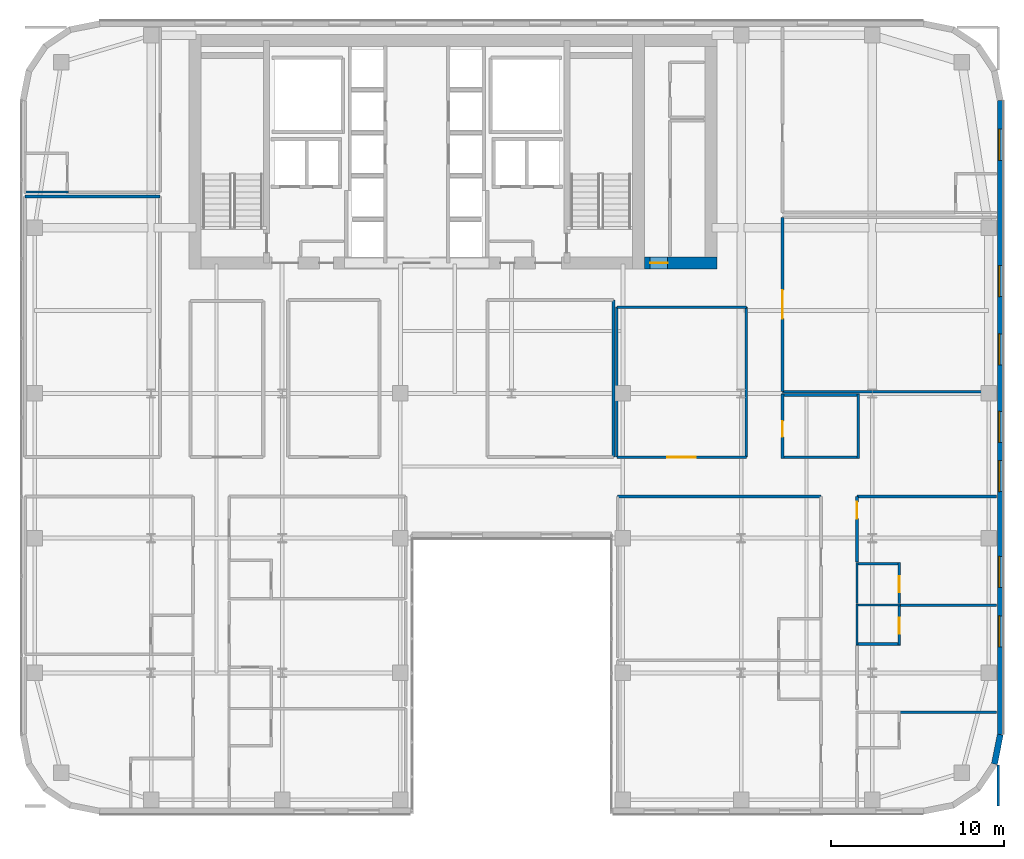
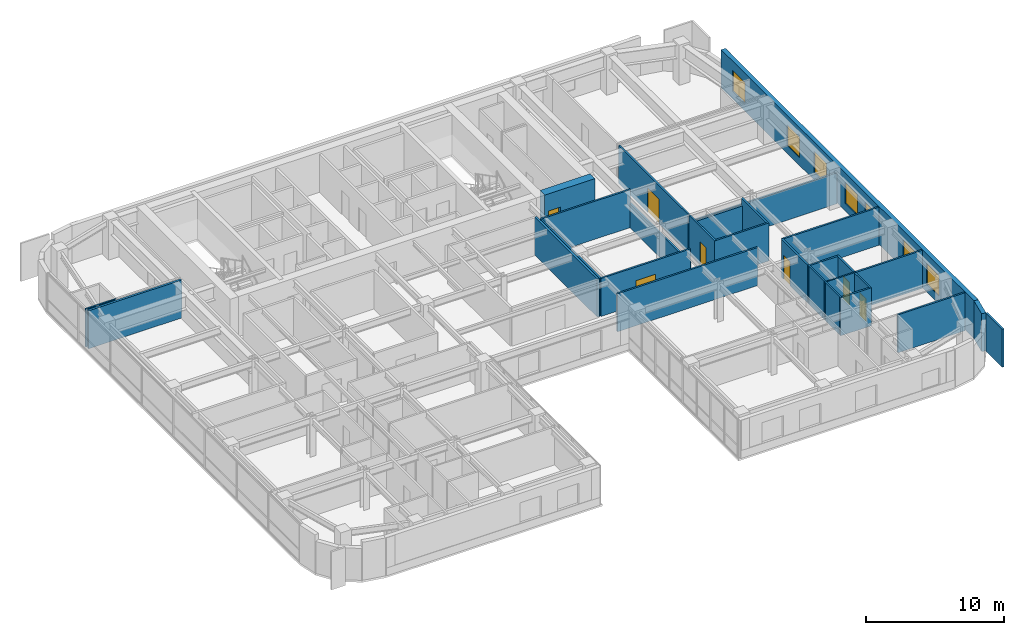
# One storey, part 29 of 37: 29 walls, 7 doors, 7 windows, 14 openings.
"""IFC4 building model written with IfcOpenShell, lengths in metres."""

from ifc_helpers import new_model, si_unit, direction, frame, frame_2d, origin, place, context, subcontext, project, spatial, rectangle, extrude, source, transform, mapped, material, layer, layer_set, type_object, type_shapes, element, fill, save


model = new_model("IFC4")

# Units and contexts
model_context = context("Model", 3, precision=1e-05, world=origin(), true_north=direction((0.0, 1.0)))
body_context = subcontext(model_context, "Body", "Model", "MODEL_VIEW")
ifc_project = project(units=[si_unit("LENGTHUNIT", "METRE"), si_unit("AREAUNIT", "SQUARE_METRE"), si_unit("VOLUMEUNIT", "CUBIC_METRE"), si_unit("PLANEANGLEUNIT", "RADIAN"), si_unit("MASSUNIT", "GRAM", prefix="KILO")], contexts=[model_context])

# Site, building, storey
site_placement = place(None, origin())
site = spatial("IfcSite", under=ifc_project, at=site_placement, CompositionType="ELEMENT")
building_placement = place(site_placement, origin())
building = spatial("IfcBuilding", under=site, at=building_placement, Name="Tolvann Quenvar Hotel", CompositionType="ELEMENT")
storey_placement = place(building_placement, frame((0.0, 0.0, 104.449951171875)))
storey = spatial("IfcBuildingStorey", under=building, at=storey_placement, Name="L26", CompositionType="ELEMENT", Elevation=104.449951171875)

# Wall, opening, door
ifc_material_1 = material(Name="Concrete S65 (65 MPa)", Category="concrete")
ifc_layer_1 = layer(ifc_material_1, 0.699951171875)
ifc_layer_set_1 = layer_set([ifc_layer_1], Name="Concrete S65 (65 MPa)")
wall_type_1 = type_object("IfcWallType", Name="WALL_CORE_700", PredefinedType="SHEAR", material=ifc_layer_set_1)
wall_1_placement = place(storey_placement, frame((36.199951171875, 31.949951171875, 0.0), z_axis=(0.0, 0.0, 1.0), x_axis=(1.0, 0.0, 0.0)))
wall_1 = element("IfcWall", 1, at=wall_1_placement, inside=storey, type_object=wall_type_1, Name="Core East Annex Shear Wall ANN-S (L26)", PredefinedType="SHEAR", context=body_context, shape_type="SweptSolid", body=[
    extrude(rectangle(XDim=4.199951171875, YDim=0.699951171875, at=frame_2d((2.10009765625, 0.0))), origin(), (0.0, 0.0, 1.0), 3.550048828125),
])
opening_1_placement = place(wall_1_placement, frame((1.340087890625, 0.0, 0.0), z_axis=(0.0, 0.0, 1.0), x_axis=(-1.0, 0.0, 0.0)))
opening_1 = element("IfcOpeningElement", 2, at=opening_1_placement, cuts=wall_1, Name="Opening HD-01", PredefinedType="OPENING", context=body_context, shape_type="SweptSolid", body=[
    extrude(rectangle(XDim=1.02001953125, YDim=2.030029296875, at=frame_2d((0.510009765625, 1.01513671875))), frame((0.0, 0.35986328125, 0.0), z_axis=(0.0, -1.0, 0.0), x_axis=(1.0, 0.0, 0.0)), (0.0, 0.0, 1.0), 0.719970703125),
])
ifc_material_2 = material(Name="Pressed galvanised steel fire-rated door set", Category="steel")
door_type_1 = type_object("IfcDoorType", Name="DOOR_BOH_1020", OperationType="NOTDEFINED", PredefinedType="DOOR", material=ifc_material_2)
shared_shape_1 = source(origin(), body_context, "Body", "SweptSolid", [
    extrude(rectangle(XDim=1.02001953125, YDim=2.030029296875, at=frame_2d((0.510009765625, 1.01513671875))), frame((0.0, 0.02490234375, 0.0), z_axis=(0.0, -1.0, 0.0), x_axis=(1.0, 0.0, 0.0)), (0.0, 0.0, 1.0), 0.050048828125),
])
type_shapes(door_type_1, [shared_shape_1])
door_1_placement = place(opening_1_placement, origin())
door_1 = element("IfcDoor", 3, at=door_1_placement, inside=storey, type_object=door_type_1, Name="Housekeeping Annex Fire Door (L26)", OperationType="SINGLE_SWING_LEFT", OverallHeight=2.030029296875, OverallWidth=1.02001953125, PredefinedType="DOOR", context=body_context, shape_type="MappedRepresentation", body=[
    mapped(shared_shape_1, transform((0.0, 0.0, 0.0), x_axis=(1.0, 0.0, 0.0), y_axis=(0.0, 1.0, 0.0), z_axis=(0.0, 0.0, 1.0), scale=1.0)),
])
fill(opening_1, door_1)

# Wall
ifc_material_3 = material(Name="Kiln-fired red and buff architectural clay brickwork and terracotta masonry", Category="masonry")
ifc_layer_2 = layer(ifc_material_3, 0.35009765625)
ifc_layer_set_2 = layer_set([ifc_layer_2], Name="Kiln-fired red and buff architectural clay brickwork and terracotta masonry")
wall_type_2 = type_object("IfcWallType", Name="WALL_EXT_BRICK_350", PredefinedType="SOLIDWALL", material=ifc_layer_set_2)
wall_2_placement = place(storey_placement, frame((56.485107421875, 2.907958984375, 0.0), z_axis=(0.0, 0.0, 1.0), x_axis=(0.195011420161, 0.980800971659, 0.0)))
element("IfcWall", 4, at=wall_2_placement, inside=storey, type_object=wall_type_2, Name="Exterior Chicago Brick Wall L26-E12", PredefinedType="SOLIDWALL", context=body_context, shape_type="SweptSolid", body=[
    extrude(rectangle(XDim=1.74267578125, YDim=0.35009765625, at=frame_2d((0.871337890625, 0.0))), origin(), (0.0, 0.0, 1.0), 3.3701171875),
])

# Wall, openings, windows
wall_3_placement = place(storey_placement, frame((56.824951171875, 4.6171875, 0.0), z_axis=(0.0, 0.0, 1.0), x_axis=(0.0, 1.0, 0.0)))
wall_3 = element("IfcWall", 5, at=wall_3_placement, inside=storey, type_object=wall_type_2, Name="Exterior Chicago Brick Wall L26-E13", PredefinedType="SOLIDWALL", context=body_context, shape_type="SweptSolid", body=[
    extrude(rectangle(XDim=36.765625, YDim=0.35009765625, at=frame_2d((18.3828125, 0.0))), origin(), (0.0, 0.0, 1.0), 3.3701171875),
])
opening_2_placement = place(wall_3_placement, frame((5.077880859375, 0.0, 0.679931640625)))
opening_2 = element("IfcOpeningElement", 6, at=opening_2_placement, cuts=wall_3, Name="Opening W-03", PredefinedType="OPENING", context=body_context, shape_type="SweptSolid", body=[
    extrude(rectangle(XDim=1.800048828125, YDim=1.85009765625, at=frame_2d((0.89990234375, 0.925048828125))), frame((0.0, 0.18505859375, 0.0), z_axis=(0.0, -1.0, 0.0), x_axis=(1.0, 0.0, 0.0)), (0.0, 0.0, 1.0), 0.3701171875),
])
opening_3_placement = place(wall_3_placement, frame((8.529052734375, 0.0, 0.679931640625)))
opening_3 = element("IfcOpeningElement", 7, at=opening_3_placement, cuts=wall_3, Name="Opening W-03", PredefinedType="OPENING", context=body_context, shape_type="SweptSolid", body=[
    extrude(rectangle(XDim=1.800048828125, YDim=1.85009765625, at=frame_2d((0.89990234375, 0.925048828125))), frame((0.0, 0.18505859375, 0.0), z_axis=(0.0, -1.0, 0.0), x_axis=(1.0, 0.0, 0.0)), (0.0, 0.0, 1.0), 0.3701171875),
])
opening_4_placement = place(wall_3_placement, frame((14.0810546875, 0.0, 0.679931640625)))
opening_4 = element("IfcOpeningElement", 8, at=opening_4_placement, cuts=wall_3, Name="Opening W-03", PredefinedType="OPENING", context=body_context, shape_type="SweptSolid", body=[
    extrude(rectangle(XDim=1.800048828125, YDim=1.85009765625, at=frame_2d((0.89990234375, 0.925048828125))), frame((0.0, 0.18505859375, 0.0), z_axis=(0.0, -1.0, 0.0), x_axis=(1.0, 0.0, 0.0)), (0.0, 0.0, 1.0), 0.3701171875),
])
opening_5_placement = place(wall_3_placement, frame((16.93310546875, 0.0, 0.679931640625)))
opening_5 = element("IfcOpeningElement", 9, at=opening_5_placement, cuts=wall_3, Name="Opening W-03", PredefinedType="OPENING", context=body_context, shape_type="SweptSolid", body=[
    extrude(rectangle(XDim=1.800048828125, YDim=1.85009765625, at=frame_2d((0.89990234375, 0.925048828125))), frame((0.0, 0.18505859375, 0.0), z_axis=(0.0, -1.0, 0.0), x_axis=(1.0, 0.0, 0.0)), (0.0, 0.0, 1.0), 0.3701171875),
])
opening_6_placement = place(wall_3_placement, frame((21.43505859375, 0.0, 0.679931640625)))
opening_6 = element("IfcOpeningElement", 10, at=opening_6_placement, cuts=wall_3, Name="Opening W-03", PredefinedType="OPENING", context=body_context, shape_type="SweptSolid", body=[
    extrude(rectangle(XDim=1.800048828125, YDim=1.85009765625, at=frame_2d((0.89990234375, 0.925048828125))), frame((0.0, 0.18505859375, 0.0), z_axis=(0.0, -1.0, 0.0), x_axis=(1.0, 0.0, 0.0)), (0.0, 0.0, 1.0), 0.3701171875),
])
opening_7_placement = place(wall_3_placement, frame((25.385986328125, 0.0, 0.679931640625)))
opening_7 = element("IfcOpeningElement", 11, at=opening_7_placement, cuts=wall_3, Name="Opening W-03", PredefinedType="OPENING", context=body_context, shape_type="SweptSolid", body=[
    extrude(rectangle(XDim=1.800048828125, YDim=1.85009765625, at=frame_2d((0.89990234375, 0.925048828125))), frame((0.0, 0.18505859375, 0.0), z_axis=(0.0, -1.0, 0.0), x_axis=(1.0, 0.0, 0.0)), (0.0, 0.0, 1.0), 0.3701171875),
])
opening_8_placement = place(wall_3_placement, frame((33.2900390625, 0.0, 0.679931640625)))
opening_8 = element("IfcOpeningElement", 12, at=opening_8_placement, cuts=wall_3, Name="Opening W-03", PredefinedType="OPENING", context=body_context, shape_type="SweptSolid", body=[
    extrude(rectangle(XDim=1.800048828125, YDim=1.85009765625, at=frame_2d((0.89990234375, 0.925048828125))), frame((0.0, 0.18505859375, 0.0), z_axis=(0.0, -1.0, 0.0), x_axis=(1.0, 0.0, 0.0)), (0.0, 0.0, 1.0), 0.3701171875),
])
ifc_material_4 = material(Name="Thermally broken bronze-anodised aluminium frame with double low-E glazing", Category="aluminium")
window_type = type_object("IfcWindowType", Name="WIN_CHI_1800x2050", PartitioningType="TRIPLE_PANEL_HORIZONTAL", PredefinedType="WINDOW", material=ifc_material_4)
shared_shape_2 = source(origin(), body_context, "Body", "SweptSolid", [
    extrude(rectangle(XDim=1.800048828125, YDim=1.85009765625, at=frame_2d((0.89990234375, 0.925048828125))), frame((0.0, 0.090087890625, 0.0), z_axis=(0.0, -1.0, 0.0), x_axis=(1.0, 0.0, 0.0)), (0.0, 0.0, 1.0), 0.06005859375),
])
type_shapes(window_type, [shared_shape_2])
window_1_placement = place(opening_2_placement, origin())
window_1 = element("IfcWindow", 13, at=window_1_placement, inside=storey, type_object=window_type, Name="Chicago Window W-03 (EW-L26-E13-W01)", OverallHeight=1.85009765625, OverallWidth=1.800048828125, PartitioningType="TRIPLE_PANEL_HORIZONTAL", PredefinedType="WINDOW", context=body_context, shape_type="MappedRepresentation", body=[
    mapped(shared_shape_2, transform((0.0, 0.0, 0.0), x_axis=(1.0, 0.0, 0.0), y_axis=(0.0, 1.0, 0.0), z_axis=(0.0, 0.0, 1.0), scale=1.0)),
])
fill(opening_2, window_1)
window_2_placement = place(opening_3_placement, origin())
window_2 = element("IfcWindow", 14, at=window_2_placement, inside=storey, type_object=window_type, Name="Chicago Window W-03 (EW-L26-E13-W02)", OverallHeight=1.85009765625, OverallWidth=1.800048828125, PartitioningType="TRIPLE_PANEL_HORIZONTAL", PredefinedType="WINDOW", context=body_context, shape_type="MappedRepresentation", body=[
    mapped(shared_shape_2, transform((0.0, 0.0, 0.0), x_axis=(1.0, 0.0, 0.0), y_axis=(0.0, 1.0, 0.0), z_axis=(0.0, 0.0, 1.0), scale=1.0)),
])
fill(opening_3, window_2)
window_3_placement = place(opening_4_placement, origin())
window_3 = element("IfcWindow", 15, at=window_3_placement, inside=storey, type_object=window_type, Name="Chicago Window W-03 (EW-L26-E13-W03)", OverallHeight=1.85009765625, OverallWidth=1.800048828125, PartitioningType="TRIPLE_PANEL_HORIZONTAL", PredefinedType="WINDOW", context=body_context, shape_type="MappedRepresentation", body=[
    mapped(shared_shape_2, transform((0.0, 0.0, 0.0), x_axis=(1.0, 0.0, 0.0), y_axis=(0.0, 1.0, 0.0), z_axis=(0.0, 0.0, 1.0), scale=1.0)),
])
fill(opening_4, window_3)
window_4_placement = place(opening_5_placement, origin())
window_4 = element("IfcWindow", 16, at=window_4_placement, inside=storey, type_object=window_type, Name="Chicago Window W-03 (EW-L26-E13-W04)", OverallHeight=1.85009765625, OverallWidth=1.800048828125, PartitioningType="TRIPLE_PANEL_HORIZONTAL", PredefinedType="WINDOW", context=body_context, shape_type="MappedRepresentation", body=[
    mapped(shared_shape_2, transform((0.0, 0.0, 0.0), x_axis=(1.0, 0.0, 0.0), y_axis=(0.0, 1.0, 0.0), z_axis=(0.0, 0.0, 1.0), scale=1.0)),
])
fill(opening_5, window_4)
window_5_placement = place(opening_6_placement, origin())
window_5 = element("IfcWindow", 17, at=window_5_placement, inside=storey, type_object=window_type, Name="Chicago Window W-03 (EW-L26-E13-W05)", OverallHeight=1.85009765625, OverallWidth=1.800048828125, PartitioningType="TRIPLE_PANEL_HORIZONTAL", PredefinedType="WINDOW", context=body_context, shape_type="MappedRepresentation", body=[
    mapped(shared_shape_2, transform((0.0, 0.0, 0.0), x_axis=(1.0, 0.0, 0.0), y_axis=(0.0, 1.0, 0.0), z_axis=(0.0, 0.0, 1.0), scale=1.0)),
])
fill(opening_6, window_5)
window_6_placement = place(opening_7_placement, origin())
window_6 = element("IfcWindow", 18, at=window_6_placement, inside=storey, type_object=window_type, Name="Chicago Window W-03 (EW-L26-E13-W06)", OverallHeight=1.85009765625, OverallWidth=1.800048828125, PartitioningType="TRIPLE_PANEL_HORIZONTAL", PredefinedType="WINDOW", context=body_context, shape_type="MappedRepresentation", body=[
    mapped(shared_shape_2, transform((0.0, 0.0, 0.0), x_axis=(1.0, 0.0, 0.0), y_axis=(0.0, 1.0, 0.0), z_axis=(0.0, 0.0, 1.0), scale=1.0)),
])
fill(opening_7, window_6)
window_7_placement = place(opening_8_placement, origin())
window_7 = element("IfcWindow", 19, at=window_7_placement, inside=storey, type_object=window_type, Name="Chicago Window W-03 (EW-L26-E13-W07)", OverallHeight=1.85009765625, OverallWidth=1.800048828125, PartitioningType="TRIPLE_PANEL_HORIZONTAL", PredefinedType="WINDOW", context=body_context, shape_type="MappedRepresentation", body=[
    mapped(shared_shape_2, transform((0.0, 0.0, 0.0), x_axis=(1.0, 0.0, 0.0), y_axis=(0.0, 1.0, 0.0), z_axis=(0.0, 0.0, 1.0), scale=1.0)),
])
fill(opening_8, window_7)

# Walls
ifc_material_5 = material(Name="Acoustic twin-stud fire-rated gypsum plasterboard partition")
ifc_layer_3 = layer(ifc_material_5, 0.179931640625)
ifc_layer_set_3 = layer_set([ifc_layer_3], Name="Acoustic twin-stud fire-rated gypsum plasterboard partition")
wall_type_3 = type_object("IfcWallType", Name="WALL_PART_ACOUSTIC_180", PredefinedType="PARTITIONING", material=ifc_layer_set_3)
wall_4_placement = place(storey_placement, frame((0.300048828125, 35.800048828125, 0.0), z_axis=(0.0, 0.0, 1.0), x_axis=(1.0, 0.0, 0.0)))
element("IfcWall", 20, at=wall_4_placement, inside=storey, type_object=wall_type_3, Name="Interior Partition PT-SPC-L26-SAL-N", PredefinedType="PARTITIONING", context=body_context, shape_type="SweptSolid", body=[
    extrude(rectangle(XDim=7.820068359375, YDim=0.179931640625, at=frame_2d((3.91015625, 0.0))), origin(), (0.0, 0.0, 1.0), 3.3701171875),
])
wall_5_placement = place(storey_placement, frame((34.39990234375, 20.699951171875, 0.0), z_axis=(0.0, 0.0, 1.0), x_axis=(0.0, 1.0, 0.0)))
element("IfcWall", 21, at=wall_5_placement, inside=storey, type_object=wall_type_3, Name="Interior Partition PT-SPC-L26-MSP-C-E", PredefinedType="PARTITIONING", context=body_context, shape_type="SweptSolid", body=[
    extrude(rectangle(XDim=9.10009765625, YDim=0.179931640625, at=frame_2d((4.550048828125, 0.0))), origin(), (0.0, 0.0, 1.0), 3.3701171875),
])
ifc_material_6 = material(Name="Moisture-resistant acoustic plumbing wall assembly")
ifc_layer_4 = layer(ifc_material_6, 0.1201171875)
ifc_layer_set_4 = layer_set([ifc_layer_4], Name="Moisture-resistant acoustic plumbing wall assembly")
wall_type_4 = type_object("IfcWallType", Name="WALL_PART_BATH_120", PredefinedType="PLUMBINGWALL", material=ifc_layer_set_4)
wall_6_placement = place(storey_placement, frame((48.449951171875, 12.1201171875, 0.0), z_axis=(0.0, 0.0, 1.0), x_axis=(1.0, 0.0, 0.0)))
element("IfcWall", 22, at=wall_6_placement, inside=storey, type_object=wall_type_4, Name="Non-Rated Plumbing Partition PT-SPC-L26-ENS-EO02-N", PredefinedType="PLUMBINGWALL", context=body_context, shape_type="SweptSolid", body=[
    extrude(rectangle(XDim=2.590087890625, YDim=0.1201171875, at=frame_2d((1.294921875, 0.0))), origin(), (0.0, 0.0, 1.0), 3.3701171875),
])
wall_7_placement = place(storey_placement, frame((48.52001953125, 9.800048828125, 0.0), z_axis=(0.0, 0.0, 1.0), x_axis=(0.0, 1.0, 0.0)))
element("IfcWall", 23, at=wall_7_placement, inside=storey, type_object=wall_type_4, Name="Non-Rated Plumbing Partition PT-SPC-L26-ENS-EO02-W", PredefinedType="PLUMBINGWALL", context=body_context, shape_type="SweptSolid", body=[
    extrude(rectangle(XDim=2.389892578125, YDim=0.1201171875, at=frame_2d((1.19482421875, 0.0))), origin(), (0.0, 0.0, 1.0), 3.3701171875),
])
wall_8_placement = place(storey_placement, frame((48.52001953125, 12.2099609375, 0.0), z_axis=(0.0, 0.0, 1.0), x_axis=(0.0, 1.0, 0.0)))
element("IfcWall", 24, at=wall_8_placement, inside=storey, type_object=wall_type_4, Name="Non-Rated Plumbing Partition PT-SPC-L26-ENS-EO03-W", PredefinedType="PLUMBINGWALL", context=body_context, shape_type="SweptSolid", body=[
    extrude(rectangle(XDim=2.39013671875, YDim=0.1201171875, at=frame_2d((1.195068359375, 0.0))), origin(), (0.0, 0.0, 1.0), 3.3701171875),
])
wall_9_placement = place(storey_placement, frame((0.22998046875, 36.06005859375, 0.0), z_axis=(0.0, 0.0, 1.0), x_axis=(1.0, 0.0, 0.0)))
element("IfcWall", 25, at=wall_9_placement, inside=storey, type_object=wall_type_4, Name="Non-Rated Plumbing Partition PT-SPC-L26-ENS-NW01-S", PredefinedType="PLUMBINGWALL", context=body_context, shape_type="SweptSolid", body=[
    extrude(rectangle(XDim=2.590087890625, YDim=0.1201171875, at=frame_2d((1.294921875, 0.0))), origin(), (0.0, 0.0, 1.0), 3.3701171875),
])

# Wall, opening, door
ifc_layer_5 = layer(ifc_material_5, 0.14990234375)
ifc_layer_set_5 = layer_set([ifc_layer_5], Name="Acoustic twin-stud fire-rated gypsum plasterboard partition")
wall_type_5 = type_object("IfcWallType", Name="WALL_PART_SUITE_150", PredefinedType="PARTITIONING", material=ifc_layer_set_5)
wall_10_placement = place(storey_placement, frame((50.969970703125, 9.800048828125, 0.0), z_axis=(0.0, 0.0, 1.0), x_axis=(0.0, 1.0, 0.0)))
wall_10 = element("IfcWall", 26, at=wall_10_placement, inside=storey, type_object=wall_type_5, Name="Interior Partition PT-SPC-L26-ENS-EO02-ENT", PredefinedType="PARTITIONING", context=body_context, shape_type="SweptSolid", body=[
    extrude(rectangle(XDim=2.389892578125, YDim=0.14990234375, at=frame_2d((1.19482421875, 0.0))), origin(), (0.0, 0.0, 1.0), 3.3701171875),
])
opening_9_placement = place(wall_10_placement, frame((0.6650390625, 0.0, 0.0)))
opening_9 = element("IfcOpeningElement", 27, at=opening_9_placement, cuts=wall_10, Name="Opening WD-01", PredefinedType="OPENING", context=body_context, shape_type="SweptSolid", body=[
    extrude(rectangle(XDim=0.919921875, YDim=2.010009765625, at=frame_2d((0.4599609375, 1.0048828125))), frame((0.0, 0.0849609375, 0.0), z_axis=(0.0, -1.0, 0.0), x_axis=(1.0, 0.0, 0.0)), (0.0, 0.0, 1.0), 0.169921875),
])
ifc_material_7 = material(Name="Solid-core American oak acoustic fire door leaf in steel frame", Category="steel")
door_type_2 = type_object("IfcDoorType", Name="DOOR_WC_920", OperationType="NOTDEFINED", PredefinedType="DOOR", material=ifc_material_7)
shared_shape_3 = source(origin(), body_context, "Body", "SweptSolid", [
    extrude(rectangle(XDim=0.919921875, YDim=2.010009765625, at=frame_2d((0.4599609375, 1.0048828125))), frame((0.0, 0.02490234375, 0.0), z_axis=(0.0, -1.0, 0.0), x_axis=(1.0, 0.0, 0.0)), (0.0, 0.0, 1.0), 0.050048828125),
])
type_shapes(door_type_2, [shared_shape_3])
door_2_placement = place(opening_9_placement, origin())
door_2 = element("IfcDoor", 28, at=door_2_placement, inside=storey, type_object=door_type_2, Name="Interior Door DOOR-SPC-L26-ENS-EO02", OperationType="SINGLE_SWING_LEFT", OverallHeight=2.010009765625, OverallWidth=0.919921875, PredefinedType="DOOR", context=body_context, shape_type="MappedRepresentation", body=[
    mapped(shared_shape_3, transform((0.0, 0.0, 0.0), x_axis=(1.0, 0.0, 0.0), y_axis=(0.0, 1.0, 0.0), z_axis=(0.0, 0.0, 1.0), scale=1.0)),
])
fill(opening_9, door_2)

# Wall
wall_11_placement = place(storey_placement, frame((48.449951171875, 9.8701171875, 0.0), z_axis=(0.0, 0.0, 1.0), x_axis=(1.0, 0.0, 0.0)))
element("IfcWall", 29, at=wall_11_placement, inside=storey, type_object=wall_type_5, Name="Interior Partition PT-SPC-L26-ENS-EO02-S", PredefinedType="PARTITIONING", context=body_context, shape_type="SweptSolid", body=[
    extrude(rectangle(XDim=2.590087890625, YDim=0.14990234375, at=frame_2d((1.294921875, 0.0))), origin(), (0.0, 0.0, 1.0), 3.3701171875),
])

# Wall, opening, door
wall_12_placement = place(storey_placement, frame((50.969970703125, 12.2099609375, 0.0), z_axis=(0.0, 0.0, 1.0), x_axis=(0.0, 1.0, 0.0)))
wall_12 = element("IfcWall", 30, at=wall_12_placement, inside=storey, type_object=wall_type_5, Name="Interior Partition PT-SPC-L26-ENS-EO03-ENT", PredefinedType="PARTITIONING", context=body_context, shape_type="SweptSolid", body=[
    extrude(rectangle(XDim=2.39013671875, YDim=0.14990234375, at=frame_2d((1.195068359375, 0.0))), origin(), (0.0, 0.0, 1.0), 3.3701171875),
])
opening_10_placement = place(wall_12_placement, frame((0.6650390625, 0.0, 0.0)))
opening_10 = element("IfcOpeningElement", 31, at=opening_10_placement, cuts=wall_12, Name="Opening WD-01", PredefinedType="OPENING", context=body_context, shape_type="SweptSolid", body=[
    extrude(rectangle(XDim=0.919921875, YDim=2.010009765625, at=frame_2d((0.4599609375, 1.0048828125))), frame((0.0, 0.0849609375, 0.0), z_axis=(0.0, -1.0, 0.0), x_axis=(1.0, 0.0, 0.0)), (0.0, 0.0, 1.0), 0.169921875),
])
door_3_placement = place(opening_10_placement, origin())
door_3 = element("IfcDoor", 32, at=door_3_placement, inside=storey, type_object=door_type_2, Name="Interior Door DOOR-SPC-L26-ENS-EO03", OperationType="SINGLE_SWING_RIGHT", OverallHeight=2.010009765625, OverallWidth=0.919921875, PredefinedType="DOOR", context=body_context, shape_type="MappedRepresentation", body=[
    mapped(shared_shape_3, transform((0.0, 0.0, 0.0), x_axis=(1.0, 0.0, 0.0), y_axis=(0.0, 1.0, 0.0), z_axis=(0.0, 0.0, 1.0), scale=1.0)),
])
fill(opening_10, door_3)

# Walls
wall_13_placement = place(storey_placement, frame((48.449951171875, 14.530029296875, 0.0), z_axis=(0.0, 0.0, 1.0), x_axis=(1.0, 0.0, 0.0)))
element("IfcWall", 33, at=wall_13_placement, inside=storey, type_object=wall_type_5, Name="Interior Partition PT-SPC-L26-ENS-EO03-N", PredefinedType="PARTITIONING", context=body_context, shape_type="SweptSolid", body=[
    extrude(rectangle(XDim=2.590087890625, YDim=0.14990234375, at=frame_2d((1.294921875, 0.0))), origin(), (0.0, 0.0, 1.0), 3.3701171875),
])
wall_14_placement = place(storey_placement, frame((34.64990234375, 18.419921875, 0.0), z_axis=(0.0, 0.0, 1.0), x_axis=(1.0, 0.0, 0.0)))
element("IfcWall", 34, at=wall_14_placement, inside=storey, type_object=wall_type_5, Name="Interior Partition PT-SPC-L26-RM-EI02-E5", PredefinedType="PARTITIONING", context=body_context, shape_type="SweptSolid", body=[
    extrude(rectangle(XDim=11.780029296875, YDim=0.14990234375, at=frame_2d((5.89013671875, 0.0))), origin(), (0.0, 0.0, 1.0), 3.3701171875),
])
wall_15_placement = place(storey_placement, frame((56.699951171875, 0.47998046875, 0.0), z_axis=(0.0, 0.0, 1.0), x_axis=(0.0, 1.0, 0.0)))
element("IfcWall", 35, at=wall_15_placement, inside=storey, type_object=wall_type_5, Name="Interior Partition PT-SPC-L26-RM-EO01-E2", PredefinedType="PARTITIONING", context=body_context, shape_type="SweptSolid", body=[
    extrude(rectangle(XDim=2.385009765625, YDim=0.14990234375, at=frame_2d((1.1923828125, 0.0))), origin(), (0.0, 0.0, 1.0), 3.3701171875),
])
for number, where, z_axis, x_axis, name in (
    (36, (50.989990234375, 5.919921875, 0.0), (0.0, 0.0, 1.0), (1.0, 0.0, 0.0), "Interior Partition PT-SPC-L26-RM-EO01-E3"),
    (37, (50.989990234375, 12.1201171875, 0.0), (0.0, 0.0, 1.0), (1.0, 0.0, 0.0), "Interior Partition PT-SPC-L26-RM-EO02-E3"),
):
    element("IfcWall", number, at=place(storey_placement, frame(where, z_axis=z_axis, x_axis=x_axis)), inside=storey, type_object=wall_type_5, Name=name, PredefinedType="PARTITIONING", context=body_context, shape_type="SweptSolid", body=[
        extrude(rectangle(XDim=5.60498046875, YDim=0.14990234375, at=frame_2d((2.802490234375, 0.0))), origin(), (0.0, 0.0, 1.0), 3.3701171875),
    ])

# Wall, opening, door
wall_16_placement = place(storey_placement, frame((48.52001953125, 14.610107421875, 0.0), z_axis=(0.0, 0.0, 1.0), x_axis=(0.0, 1.0, 0.0)))
wall_16 = element("IfcWall", 38, at=wall_16_placement, inside=storey, type_object=wall_type_5, Name="Interior Partition PT-SPC-L26-RM-EO03-ENT", PredefinedType="PARTITIONING", context=body_context, shape_type="SweptSolid", body=[
    extrude(rectangle(XDim=3.809814453125, YDim=0.14990234375, at=frame_2d((1.90478515625, 0.0))), origin(), (0.0, 0.0, 1.0), 3.3701171875),
])
opening_11_placement = place(wall_16_placement, frame((2.52001953125, 0.0, 0.0)))
opening_11 = element("IfcOpeningElement", 39, at=opening_11_placement, cuts=wall_16, Name="Opening SD-01", PredefinedType="OPENING", context=body_context, shape_type="SweptSolid", body=[
    extrude(rectangle(XDim=0.97998046875, YDim=2.1201171875, at=frame_2d((0.489990234375, 1.06005859375))), frame((0.0, 0.0849609375, 0.0), z_axis=(0.0, -1.0, 0.0), x_axis=(1.0, 0.0, 0.0)), (0.0, 0.0, 1.0), 0.169921875),
])
door_type_3 = type_object("IfcDoorType", Name="DOOR_SUITE_980", OperationType="NOTDEFINED", PredefinedType="DOOR", material=ifc_material_7)
shared_shape_4 = source(origin(), body_context, "Body", "SweptSolid", [
    extrude(rectangle(XDim=0.97998046875, YDim=2.1201171875, at=frame_2d((0.489990234375, 1.06005859375))), frame((0.0, 0.02490234375, 0.0), z_axis=(0.0, -1.0, 0.0), x_axis=(1.0, 0.0, 0.0)), (0.0, 0.0, 1.0), 0.050048828125),
])
type_shapes(door_type_3, [shared_shape_4])
door_4_placement = place(opening_11_placement, origin())
door_4 = element("IfcDoor", 40, at=door_4_placement, inside=storey, type_object=door_type_3, Name="Interior Door DOOR-SPC-L26-RM-EO03", OperationType="SINGLE_SWING_RIGHT", OverallHeight=2.1201171875, OverallWidth=0.97998046875, PredefinedType="DOOR", context=body_context, shape_type="MappedRepresentation", body=[
    mapped(shared_shape_4, transform((0.0, 0.0, 0.0), x_axis=(1.0, 0.0, 0.0), y_axis=(0.0, 1.0, 0.0), z_axis=(0.0, 0.0, 1.0), scale=1.0)),
])
fill(opening_11, door_4)

# Wall
wall_17_placement = place(storey_placement, frame((48.52001953125, 18.419921875, 0.0), z_axis=(0.0, 0.0, 1.0), x_axis=(1.0, 0.0, 0.0)))
element("IfcWall", 41, at=wall_17_placement, inside=storey, type_object=wall_type_5, Name="Interior Partition PT-SPC-L26-RM-EO03-E5", PredefinedType="PARTITIONING", context=body_context, shape_type="SweptSolid", body=[
    extrude(rectangle(XDim=8.074951171875, YDim=0.14990234375, at=frame_2d((4.03759765625, 0.0))), origin(), (0.0, 0.0, 1.0), 3.3701171875),
])

# Wall, opening, door
wall_18_placement = place(storey_placement, frame((44.199951171875, 20.6298828125, 0.0), z_axis=(0.0, 0.0, 1.0), x_axis=(0.0, 1.0, 0.0)))
wall_18 = element("IfcWall", 42, at=wall_18_placement, inside=storey, type_object=wall_type_5, Name="Interior Partition PT-SPC-L26-WCA-ENT", PredefinedType="PARTITIONING", context=body_context, shape_type="SweptSolid", body=[
    extrude(rectangle(XDim=3.740234375, YDim=0.14990234375, at=frame_2d((1.8701171875, 0.0))), origin(), (0.0, 0.0, 1.0), 3.3701171875),
])
opening_12_placement = place(wall_18_placement, frame((1.239990234375, 0.0, 0.0)))
opening_12 = element("IfcOpeningElement", 43, at=opening_12_placement, cuts=wall_18, Name="Opening WD-01", PredefinedType="OPENING", context=body_context, shape_type="SweptSolid", body=[
    extrude(rectangle(XDim=0.919921875, YDim=2.010009765625, at=frame_2d((0.4599609375, 1.0048828125))), frame((0.0, 0.0849609375, 0.0), z_axis=(0.0, -1.0, 0.0), x_axis=(1.0, 0.0, 0.0)), (0.0, 0.0, 1.0), 0.169921875),
])
door_5_placement = place(opening_12_placement, origin())
door_5 = element("IfcDoor", 44, at=door_5_placement, inside=storey, type_object=door_type_2, Name="Interior Door DOOR-SPC-L26-WCA", OperationType="SINGLE_SWING_RIGHT", OverallHeight=2.010009765625, OverallWidth=0.919921875, PredefinedType="DOOR", context=body_context, shape_type="MappedRepresentation", body=[
    mapped(shared_shape_3, transform((0.0, 0.0, 0.0), x_axis=(1.0, 0.0, 0.0), y_axis=(0.0, 1.0, 0.0), z_axis=(0.0, 0.0, 1.0), scale=1.0)),
])
fill(opening_12, door_5)

# Walls
wall_19_placement = place(storey_placement, frame((44.1298828125, 20.699951171875, 0.0), z_axis=(0.0, 0.0, 1.0), x_axis=(1.0, 0.0, 0.0)))
element("IfcWall", 45, at=wall_19_placement, inside=storey, type_object=wall_type_5, Name="Interior Partition PT-SPC-L26-WCA-S", PredefinedType="PARTITIONING", context=body_context, shape_type="SweptSolid", body=[
    extrude(rectangle(XDim=4.5400390625, YDim=0.14990234375, at=frame_2d((2.27001953125, 0.0))), origin(), (0.0, 0.0, 1.0), 3.3701171875),
])
wall_20_placement = place(storey_placement, frame((44.1298828125, 24.300048828125, 0.0), z_axis=(0.0, 0.0, 1.0), x_axis=(1.0, 0.0, 0.0)))
element("IfcWall", 46, at=wall_20_placement, inside=storey, type_object=wall_type_5, Name="Interior Partition PT-SPC-L26-WCA-N", PredefinedType="PARTITIONING", context=body_context, shape_type="SweptSolid", body=[
    extrude(rectangle(XDim=4.5400390625, YDim=0.14990234375, at=frame_2d((2.27001953125, 0.0))), origin(), (0.0, 0.0, 1.0), 2.748046875),
])
wall_21_placement = place(storey_placement, frame((48.60009765625, 20.6298828125, 0.0), z_axis=(0.0, 0.0, 1.0), x_axis=(0.0, 1.0, 0.0)))
element("IfcWall", 47, at=wall_21_placement, inside=storey, type_object=wall_type_5, Name="Interior Partition PT-SPC-L26-WCA-E", PredefinedType="PARTITIONING", context=body_context, shape_type="SweptSolid", body=[
    extrude(rectangle(XDim=3.740234375, YDim=0.14990234375, at=frame_2d((1.8701171875, 0.0))), origin(), (0.0, 0.0, 1.0), 3.3701171875),
])
wall_22_placement = place(storey_placement, frame((44.199951171875, 24.5, 0.0), z_axis=(0.0, 0.0, 1.0), x_axis=(1.0, 0.0, 0.0)))
element("IfcWall", 48, at=wall_22_placement, inside=storey, type_object=wall_type_5, Name="Interior Partition PT-SPC-L26-SPA-S", PredefinedType="PARTITIONING", context=body_context, shape_type="SweptSolid", body=[
    extrude(rectangle(XDim=12.39501953125, YDim=0.14990234375, at=frame_2d((6.197509765625, 0.0))), origin(), (0.0, 0.0, 1.0), 2.748046875),
])

# Wall, opening, door
wall_23_placement = place(storey_placement, frame((44.199951171875, 24.5, 0.0), z_axis=(0.0, 0.0, 1.0), x_axis=(0.0, 1.0, 0.0)))
wall_23 = element("IfcWall", 49, at=wall_23_placement, inside=storey, type_object=wall_type_5, Name="Interior Partition PT-SPC-L26-SPA-W", PredefinedType="PARTITIONING", context=body_context, shape_type="SweptSolid", body=[
    extrude(rectangle(XDim=10.10009765625, YDim=0.14990234375, at=frame_2d((5.050048828125, 0.0))), origin(), (0.0, 0.0, 1.0), 3.3701171875),
])
opening_13_placement = place(wall_23_placement, frame((4.22509765625, 0.0, 0.0)))
opening_13 = element("IfcOpeningElement", 50, at=opening_13_placement, cuts=wall_23, Name="Opening AD-01", PredefinedType="OPENING", context=body_context, shape_type="SweptSolid", body=[
    extrude(rectangle(XDim=1.64990234375, YDim=2.14990234375, at=frame_2d((0.824951171875, 1.074951171875))), frame((0.0, 0.0849609375, 0.0), z_axis=(0.0, -1.0, 0.0), x_axis=(1.0, 0.0, 0.0)), (0.0, 0.0, 1.0), 0.169921875),
])
door_type_4 = type_object("IfcDoorType", Name="DOOR_SALON_1650", OperationType="NOTDEFINED", PredefinedType="DOOR", material=ifc_material_7)
shared_shape_5 = source(origin(), body_context, "Body", "SweptSolid", [
    extrude(rectangle(XDim=1.64990234375, YDim=2.14990234375, at=frame_2d((0.824951171875, 1.074951171875))), frame((0.0, 0.02490234375, 0.0), z_axis=(0.0, -1.0, 0.0), x_axis=(1.0, 0.0, 0.0)), (0.0, 0.0, 1.0), 0.050048828125),
])
type_shapes(door_type_4, [shared_shape_5])
door_6_placement = place(opening_13_placement, origin())
door_6 = element("IfcDoor", 51, at=door_6_placement, inside=storey, type_object=door_type_4, Name="Interior Door DOOR-SPC-L26-SPA", OperationType="DOUBLE_DOOR_SINGLE_SWING", OverallHeight=2.14990234375, OverallWidth=1.64990234375, PredefinedType="DOOR", context=body_context, shape_type="MappedRepresentation", body=[
    mapped(shared_shape_5, transform((0.0, 0.0, 0.0), x_axis=(1.0, 0.0, 0.0), y_axis=(0.0, 1.0, 0.0), z_axis=(0.0, 0.0, 1.0), scale=1.0)),
])
fill(opening_13, door_6)

wall_24_placement = place(storey_placement, frame((34.60009765625, 20.699951171875, 0.0), z_axis=(0.0, 0.0, 1.0), x_axis=(1.0, 0.0, 0.0)))
wall_24 = element("IfcWall", 52, at=wall_24_placement, inside=storey, type_object=wall_type_5, Name="Interior Partition PT-SPC-L26-MSP-E-S", PredefinedType="PARTITIONING", context=body_context, shape_type="SweptSolid", body=[
    extrude(rectangle(XDim=7.5, YDim=0.14990234375, at=frame_2d((3.75, 0.0))), origin(), (0.0, 0.0, 1.0), 3.3701171875),
])
opening_14_placement = place(wall_24_placement, frame((2.925048828125, 0.0, 0.0)))
opening_14 = element("IfcOpeningElement", 53, at=opening_14_placement, cuts=wall_24, Name="Opening AD-01", PredefinedType="OPENING", context=body_context, shape_type="SweptSolid", body=[
    extrude(rectangle(XDim=1.64990234375, YDim=2.14990234375, at=frame_2d((0.824951171875, 1.074951171875))), frame((0.0, 0.0849609375, 0.0), z_axis=(0.0, -1.0, 0.0), x_axis=(1.0, 0.0, 0.0)), (0.0, 0.0, 1.0), 0.169921875),
])
door_7_placement = place(opening_14_placement, origin())
door_7 = element("IfcDoor", 54, at=door_7_placement, inside=storey, type_object=door_type_4, Name="Interior Door DOOR-SPC-L26-MSP-E", OperationType="DOUBLE_DOOR_SINGLE_SWING", OverallHeight=2.14990234375, OverallWidth=1.64990234375, PredefinedType="DOOR", context=body_context, shape_type="MappedRepresentation", body=[
    mapped(shared_shape_5, transform((0.0, 0.0, 0.0), x_axis=(1.0, 0.0, 0.0), y_axis=(0.0, 1.0, 0.0), z_axis=(0.0, 0.0, 1.0), scale=1.0)),
])
fill(opening_14, door_7)

# Walls
wall_25_placement = place(storey_placement, frame((34.60009765625, 29.39990234375, 0.0), z_axis=(0.0, 0.0, 1.0), x_axis=(1.0, 0.0, 0.0)))
element("IfcWall", 55, at=wall_25_placement, inside=storey, type_object=wall_type_5, Name="Interior Partition PT-SPC-L26-MSP-E-N", PredefinedType="PARTITIONING", context=body_context, shape_type="SweptSolid", body=[
    extrude(rectangle(XDim=7.5, YDim=0.14990234375, at=frame_2d((3.75, 0.0))), origin(), (0.0, 0.0, 1.0), 3.3701171875),
])
wall_26_placement = place(storey_placement, frame((34.60009765625, 20.699951171875, 0.0), z_axis=(0.0, 0.0, 1.0), x_axis=(0.0, 1.0, 0.0)))
element("IfcWall", 56, at=wall_26_placement, inside=storey, type_object=wall_type_5, Name="Interior Partition PT-SPC-L26-MSP-E-W", PredefinedType="PARTITIONING", context=body_context, shape_type="SweptSolid", body=[
    extrude(rectangle(XDim=8.699951171875, YDim=0.14990234375, at=frame_2d((4.35009765625, 0.0))), origin(), (0.0, 0.0, 1.0), 3.3701171875),
])
wall_27_placement = place(storey_placement, frame((42.10009765625, 20.699951171875, 0.0), z_axis=(0.0, 0.0, 1.0), x_axis=(0.0, 1.0, 0.0)))
element("IfcWall", 57, at=wall_27_placement, inside=storey, type_object=wall_type_5, Name="Interior Partition PT-SPC-L26-MSP-E-E", PredefinedType="PARTITIONING", context=body_context, shape_type="SweptSolid", body=[
    extrude(rectangle(XDim=8.699951171875, YDim=0.14990234375, at=frame_2d((4.35009765625, 0.0))), origin(), (0.0, 0.0, 1.0), 2.16015625),
])

save(model, "model.ifc")
